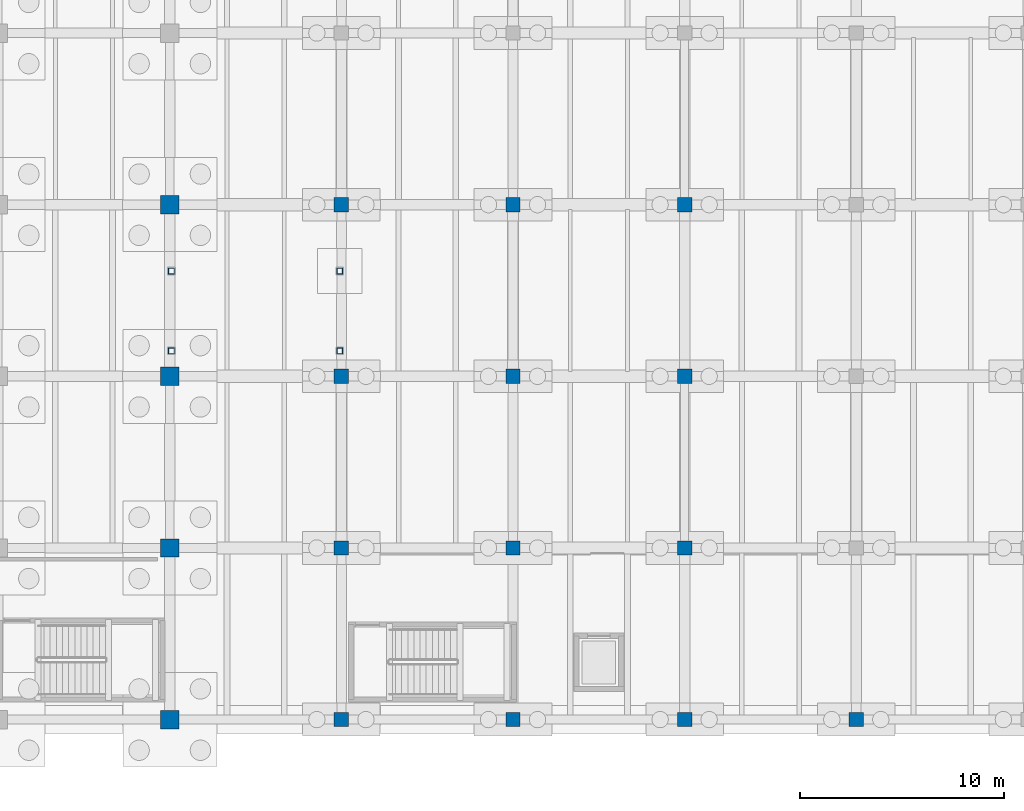
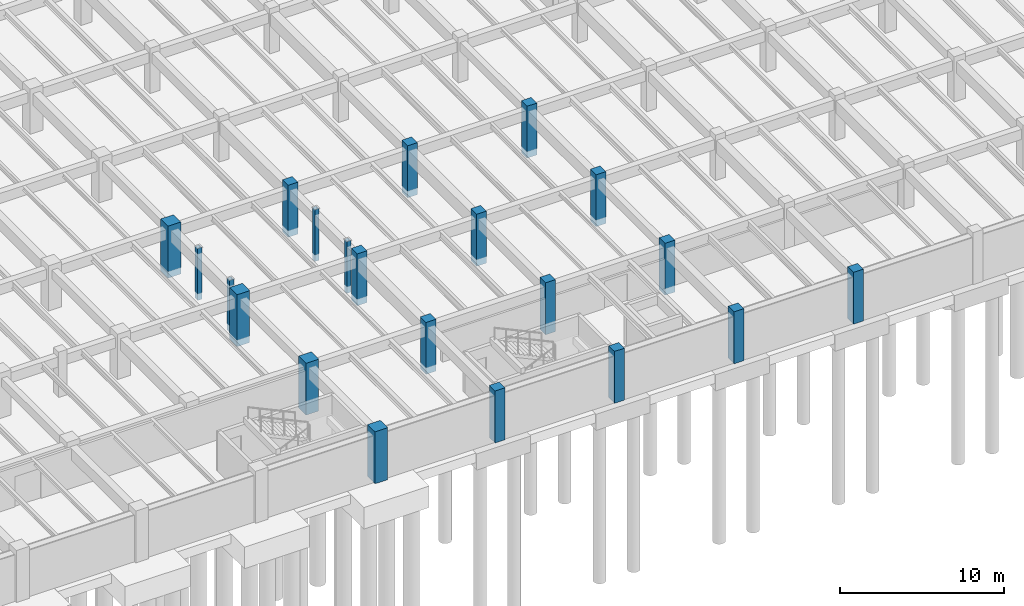
# One storey, part 15 of 70: 21 columns.
"""IFC4 building model written with IfcOpenShell, lengths in metres."""

import ifcopenshell
import ifcopenshell.guid

model = None  # the IFC model being written
_history = None  # IfcOwnerHistory: only IFC2X3 demands one
_inside = {}  # id of a spatial element -> (the spatial element, [elements in it])
_under = {}  # id of a project, library or spatial element -> (it, [spatial elements below it])
_declared = {}  # id of a project -> (the project, [libraries it declares])
_typed = {}  # id of a type object -> (the type object, [elements of that type])
_made_of = {}  # id of a material, layer set ... -> (it, [elements and type objects made of it])


def new_model(schema):
    """Start an empty IFC model of exactly this schema.

    Asked for "IFC4X3", IfcOpenShell would pick the latest addendum, in which some entities
    have other attributes; the version numbers below select the first issue.
    IFC2X3 requires an IfcOwnerHistory on every rooted entity: one is made here for all.
    """
    global model, _history
    if schema == "IFC4X3":
        model = ifcopenshell.file(schema_version=(4, 3, 0, 0))
    else:
        model = ifcopenshell.file(schema=schema)
    _inside.clear()
    _under.clear()
    _declared.clear()
    _typed.clear()
    _made_of.clear()
    _history = None
    if model.schema == "IFC2X3":
        org = make("IfcOrganization", Name="unknown")
        user = make(
            "IfcPersonAndOrganization",
            ThePerson=make("IfcPerson", FamilyName="unknown"),
            TheOrganization=org,
        )
        app = make(
            "IfcApplication",
            ApplicationDeveloper=org,
            Version="unknown",
            ApplicationFullName="unknown",
            ApplicationIdentifier="unknown",
        )
        _history = make(
            "IfcOwnerHistory",
            OwningUser=user,
            OwningApplication=app,
            ChangeAction="ADDED",
            CreationDate=0,
        )
    return model


def make(cls, **values):
    """One entity of the class cls with the attributes given. An attribute that is None is left unset."""
    return model.create_entity(
        cls, **{name: value for name, value in values.items() if value is not None}
    )


def rooted(cls, **values):
    """An entity with a GlobalId (a new one), such as an element, a storey or a relation."""
    return make(cls, GlobalId=ifcopenshell.guid.new(), OwnerHistory=_history, **values)


def si_unit(unit_type, name, prefix=None):
    """IfcSIUnit, for example si_unit("LENGTHUNIT", "METRE", prefix="MILLI")."""
    return make("IfcSIUnit", UnitType=unit_type, Prefix=prefix, Name=name)


def assignment(units):
    """IfcUnitAssignment: the units of a project."""
    return None if units is None else make("IfcUnitAssignment", Units=units)


def point(xyz):
    """IfcCartesianPoint."""
    return None if xyz is None else make("IfcCartesianPoint", Coordinates=xyz)


def direction(xyz):
    """IfcDirection."""
    return None if xyz is None else make("IfcDirection", DirectionRatios=xyz)


def frame(location, z_axis=None, x_axis=None):
    """IfcAxis2Placement3D, a coordinate frame: its origin and axes. An axis left out is left unset."""
    return make(
        "IfcAxis2Placement3D",
        Location=point(location),
        Axis=direction(z_axis),
        RefDirection=direction(x_axis),
    )


def frame_2d(location, x_axis=None):
    """IfcAxis2Placement2D, a coordinate frame in the plane: its origin and x axis."""
    return make(
        "IfcAxis2Placement2D", Location=point(location), RefDirection=direction(x_axis)
    )


def origin():
    """The frame at (0, 0, 0) with its axes left unset."""
    return frame((0.0, 0.0, 0.0))


def origin_2d():
    """The frame at (0, 0) in the plane with its x axis left unset."""
    return frame_2d((0.0, 0.0))


def place(relative_to, where):
    """IfcLocalPlacement: puts the frame where relative to a parent placement (None: the world)."""
    return make(
        "IfcLocalPlacement", PlacementRelTo=relative_to, RelativePlacement=where
    )


def context(
    kind, dimensions, precision=None, world=None, true_north=None, identifier=None
):
    """IfcGeometricRepresentationContext, for example the 3D "Model" context."""
    return make(
        "IfcGeometricRepresentationContext",
        ContextIdentifier=identifier,
        ContextType=kind,
        CoordinateSpaceDimension=dimensions,
        Precision=precision,
        WorldCoordinateSystem=world,
        TrueNorth=true_north,
    )


def subcontext(parent, identifier, kind, view, scale=None):
    """IfcGeometricRepresentationSubContext, for example "Body" below "Model"."""
    return make(
        "IfcGeometricRepresentationSubContext",
        ContextIdentifier=identifier,
        ContextType=kind,
        ParentContext=parent,
        TargetScale=scale,
        TargetView=view,
    )


def project(units=None, contexts=None):
    """IfcProject with its units and contexts."""
    return rooted(
        "IfcProject",
        Name="project",
        RepresentationContexts=contexts,
        UnitsInContext=assignment(units),
    )


def spatial(cls, under=None, at=None, **own):
    """A site, building, storey or space (cls), placed at a placement, below another one or the project."""
    s = rooted(cls, ObjectPlacement=at, **own)
    if under is not None:
        _under.setdefault(under.id(), (under, []))[1].append(s)
    return s


def profile(cls, at=None, kind="AREA", **sizes):
    """A parametric profile (cls). Its sizes go by their IFC names, for example OverallWidth=200.0."""
    return make(cls, ProfileType=kind, Position=at, **sizes)


def rectangle(**sizes):
    """IfcRectangleProfileDef."""
    return profile("IfcRectangleProfileDef", **sizes)


def hollow_rectangle(**sizes):
    """IfcRectangleHollowProfileDef."""
    return profile("IfcRectangleHollowProfileDef", **sizes)


def extrude(swept, where, along, depth):
    """IfcExtrudedAreaSolid: the profile swept, set in the frame where, extruded along a direction by depth."""
    return make(
        "IfcExtrudedAreaSolid",
        SweptArea=swept,
        Position=where,
        ExtrudedDirection=direction(along),
        Depth=depth,
    )


def shape(context_of_items, identifier, shape_type, items):
    """IfcShapeRepresentation: the items that make up one representation, for example the "Body"."""
    return make(
        "IfcShapeRepresentation",
        ContextOfItems=context_of_items,
        RepresentationIdentifier=identifier,
        RepresentationType=shape_type,
        Items=items,
    )


def material(Name=None, Category=None):
    """IfcMaterial."""
    return make("IfcMaterial", Name=Name, Category=Category)


def material_profile(
    of_material, cross_section, Name=None, Category=None, Priority=None
):
    """IfcMaterialProfile: a cross section and its material."""
    return make(
        "IfcMaterialProfile",
        Name=Name,
        Material=of_material,
        Profile=cross_section,
        Priority=Priority,
        Category=Category,
    )


def profile_set(profiles, Name=None, composite=None):
    """IfcMaterialProfileSet."""
    return make(
        "IfcMaterialProfileSet",
        Name=Name,
        MaterialProfiles=profiles,
        CompositeProfile=composite,
    )


def made_of(thing, what):
    """Note that an element or type object is made of a material, layer set ...; save() writes the relation."""
    if what is not None:
        _made_of.setdefault(what.id(), (what, []))[1].append(thing)
    return thing


def type_object(cls, material=None, **own):
    """A type object (cls), such as IfcWallType, which elements share."""
    return made_of(rooted(cls, **own), material)


def element(
    cls,
    number,
    at=None,
    inside=None,
    cuts=None,
    type_object=None,
    material=None,
    context=None,
    identifier="Body",
    shape_type=None,
    held_by="IfcProductDefinitionShape",
    body=None,
    shapes=None,
    **own,
):
    """One element of the class cls, such as IfcWall. Its Tag is "e" and its number.

    at: its placement. inside: the storey or other place that contains it. cuts: it is an
    opening in that element (IfcRelVoidsElement). A single representation is given by context,
    identifier, shape_type and body (its items); several are given by shapes. held_by: the class
    of the entity that holds the representations. save() writes the other relations.
    """
    e = rooted(cls, Tag="e%d" % number, ObjectPlacement=at, **own)
    if body is not None:
        shapes = [shape(context, identifier, shape_type, body)]
    if shapes is not None:
        e.Representation = make(held_by, Representations=shapes)
    if inside is not None:
        _inside.setdefault(inside.id(), (inside, []))[1].append(e)
    if cuts is not None:
        rooted(
            "IfcRelVoidsElement", RelatingBuildingElement=cuts, RelatedOpeningElement=e
        )
    if type_object is not None:
        _typed.setdefault(type_object.id(), (type_object, []))[1].append(e)
    return made_of(e, material)


def aggregate(whole, parts):
    """IfcRelAggregates: a whole, such as a stair, and the parts it consists of."""
    return rooted("IfcRelAggregates", RelatingObject=whole, RelatedObjects=parts)


def save(model, path):
    """Write the relations noted so far, then the file.

    IfcRelAggregates (storeys below a building ...), IfcRelContainedInSpatialStructure (elements
    in a storey), IfcRelDefinesByType, IfcRelAssociatesMaterial and IfcRelDeclares: one each for
    every whole, place, type object, material and project.
    """
    for whole, parts in _under.values():
        aggregate(whole, parts)
    for where, things in _inside.values():
        rooted(
            "IfcRelContainedInSpatialStructure",
            RelatedElements=things,
            RelatingStructure=where,
        )
    for kind, things in _typed.values():
        rooted("IfcRelDefinesByType", RelatedObjects=things, RelatingType=kind)
    for what, things in _made_of.values():
        rooted("IfcRelAssociatesMaterial", RelatedObjects=things, RelatingMaterial=what)
    for by, libraries in _declared.values():
        rooted("IfcRelDeclares", RelatingContext=by, RelatedDefinitions=libraries)
    model.write(path)


model = new_model("IFC4")

# Units and contexts
model_context = context("Model", 3, precision=1e-05, world=origin(), true_north=direction((0.0, 1.0)))
body_context = subcontext(model_context, "Body", "Model", "MODEL_VIEW")
ifc_project = project(units=[si_unit("LENGTHUNIT", "METRE"), si_unit("AREAUNIT", "SQUARE_METRE"), si_unit("VOLUMEUNIT", "CUBIC_METRE"), si_unit("PLANEANGLEUNIT", "RADIAN"), si_unit("MASSUNIT", "GRAM", prefix="KILO")], contexts=[model_context])

# Site, building, storey
site_placement = place(None, origin())
site = spatial("IfcSite", under=ifc_project, at=site_placement, CompositionType="ELEMENT")
building_placement = place(site_placement, origin())
building = spatial("IfcBuilding", under=site, at=building_placement, Name="Cumbredor Promenade Congress Hotel", CompositionType="ELEMENT")
storey_placement = place(building_placement, frame((0.0, 0.0, -7.56005859375)))
storey = spatial("IfcBuildingStorey", under=building, at=storey_placement, Name="B02", CompositionType="ELEMENT", Elevation=-7.56005859375)

# Columns
ifc_material_1 = material(Name="Concrete C40/50", Category="concrete")
ifc_material_profile_1 = material_profile(ifc_material_1, rectangle(XDim=0.699951171875, YDim=0.699951171875, at=origin_2d()), Name="RC 700x700")
ifc_profile_set_1 = profile_set([ifc_material_profile_1], Name="Concrete C40/50")
column_type_1 = type_object("IfcColumnType", Name="COL-RC-700", PredefinedType="COLUMN", material=ifc_profile_set_1)
for number, where, z_axis, x_axis, name in (
    (1, (75.60009765625, 8.39990234375, -0.5), (0.0, 0.0, 1.0), (1.0, 0.0, 0.0), "B02 Structural Column 114"),
    (2, (75.60009765625, 16.800048828125, -0.5), (0.0, 0.0, 1.0), (1.0, 0.0, 0.0), "B02 Structural Column 115"),
    (3, (75.60009765625, 25.199951171875, -0.5), (0.0, 0.0, 1.0), (1.0, 0.0, 0.0), "B02 Structural Column 116"),
    (4, (75.60009765625, 33.60009765625, -0.5), (0.0, 0.0, 1.0), (1.0, 0.0, 0.0), "B02 Structural Column 117"),
    (5, (84.0, 8.39990234375, -0.5), (0.0, 0.0, 1.0), (1.0, 0.0, 0.0), "B02 Structural Column 128"),
    (6, (84.0, 16.800048828125, -0.5), (0.0, 0.0, 1.0), (1.0, 0.0, 0.0), "B02 Structural Column 129"),
    (7, (84.0, 25.199951171875, -0.5), (0.0, 0.0, 1.0), (1.0, 0.0, 0.0), "B02 Structural Column 130"),
    (8, (84.0, 33.60009765625, -0.5), (0.0, 0.0, 1.0), (1.0, 0.0, 0.0), "B02 Structural Column 131"),
    (9, (92.39990234375, 8.39990234375, -0.5), (0.0, 0.0, 1.0), (1.0, 0.0, 0.0), "B02 Structural Column 142"),
    (10, (92.39990234375, 16.800048828125, -0.5), (0.0, 0.0, 1.0), (1.0, 0.0, 0.0), "B02 Structural Column 143"),
    (11, (92.39990234375, 25.199951171875, -0.5), (0.0, 0.0, 1.0), (1.0, 0.0, 0.0), "B02 Structural Column 144"),
    (12, (92.39990234375, 33.60009765625, -0.5), (0.0, 0.0, 1.0), (1.0, 0.0, 0.0), "B02 Structural Column 145"),
    (13, (100.800048828125, 8.39990234375, -0.5), (0.0, 0.0, 1.0), (1.0, 0.0, 0.0), "B02 Structural Column 156"),
):
    element("IfcColumn", number, at=place(storey_placement, frame(where, z_axis=z_axis, x_axis=x_axis)), inside=storey, type_object=column_type_1, Name=name, PredefinedType="COLUMN", context=body_context, shape_type="SweptSolid", body=[
        extrude(rectangle(XDim=0.699951171875, YDim=0.699951171875, at=origin_2d()), origin(), (0.0, 0.0, 1.0), 3.860107421875),
    ])
ifc_material_2 = material(Name="Concrete C50/60", Category="concrete")
ifc_material_profile_2 = material_profile(ifc_material_2, rectangle(XDim=0.89990234375, YDim=0.89990234375, at=origin_2d()), Name="RC 900x900")
ifc_profile_set_2 = profile_set([ifc_material_profile_2], Name="Concrete C50/60")
column_type_2 = type_object("IfcColumnType", Name="COL-RC-900", PredefinedType="COLUMN", material=ifc_profile_set_2)
for number, where, z_axis, x_axis, name in (
    (14, (67.199951171875, 8.39990234375, -0.5), (0.0, 0.0, 1.0), (1.0, 0.0, 0.0), "B02 Structural Column 100"),
    (15, (67.199951171875, 16.800048828125, -0.5), (0.0, 0.0, 1.0), (1.0, 0.0, 0.0), "B02 Structural Column 101"),
    (16, (67.199951171875, 25.199951171875, -0.5), (0.0, 0.0, 1.0), (1.0, 0.0, 0.0), "B02 Structural Column 102"),
    (17, (67.199951171875, 33.60009765625, -0.5), (0.0, 0.0, 1.0), (1.0, 0.0, 0.0), "B02 Structural Column 103"),
):
    element("IfcColumn", number, at=place(storey_placement, frame(where, z_axis=z_axis, x_axis=x_axis)), inside=storey, type_object=column_type_2, Name=name, PredefinedType="COLUMN", context=body_context, shape_type="SweptSolid", body=[
        extrude(rectangle(XDim=0.89990234375, YDim=0.89990234375, at=origin_2d()), origin(), (0.0, 0.0, 1.0), 3.860107421875),
    ])
ifc_material_3 = material(Name="Steel ASTM A500 Grade C", Category="steel")
ifc_material_profile_3 = material_profile(ifc_material_3, hollow_rectangle(XDim=0.300048828125, YDim=0.300048828125, WallThickness=0.01611328125, at=origin_2d()), Name="HSS 300x300x16")
ifc_profile_set_3 = profile_set([ifc_material_profile_3], Name="Steel ASTM A500 Grade C")
column_type_3 = type_object("IfcColumnType", Name="COL-STL-HSS300", PredefinedType="COLUMN", material=ifc_profile_set_3)
for number, where, z_axis, x_axis, name in (
    (18, (67.280029296875, 26.449951171875, -0.5), (0.0, 0.0, 1.0), (1.0, 0.0, 0.0), "Central Plenary-to-Spa Pool Bridge B02 Substructure Pier 1"),
    (19, (67.280029296875, 30.35009765625, -0.5), (0.0, 0.0, 1.0), (1.0, 0.0, 0.0), "Central Plenary-to-Spa Pool Bridge B02 Substructure Pier 2"),
    (20, (75.52001953125, 26.449951171875, -0.5), (0.0, 0.0, 1.0), (1.0, 0.0, 0.0), "Central Plenary-to-Spa Pool Bridge B02 Substructure Pier 3"),
    (21, (75.52001953125, 30.35009765625, -0.5), (0.0, 0.0, 1.0), (1.0, 0.0, 0.0), "Central Plenary-to-Spa Pool Bridge B02 Substructure Pier 4"),
):
    element("IfcColumn", number, at=place(storey_placement, frame(where, z_axis=z_axis, x_axis=x_axis)), inside=storey, type_object=column_type_3, Name=name, PredefinedType="COLUMN", context=body_context, shape_type="SweptSolid", body=[
        extrude(hollow_rectangle(XDim=0.300048828125, YDim=0.300048828125, WallThickness=0.01611328125, at=origin_2d()), origin(), (0.0, 0.0, 1.0), 3.860107421875),
    ])

save(model, "model.ifc")
